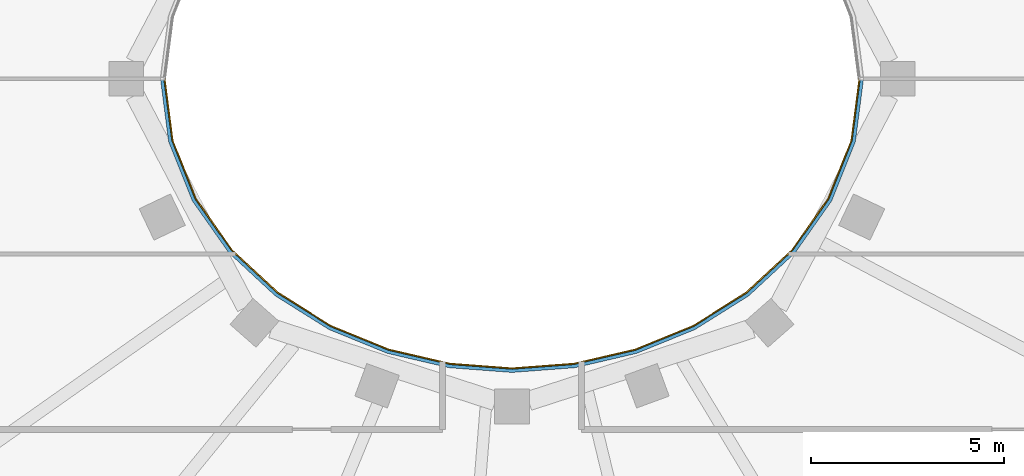
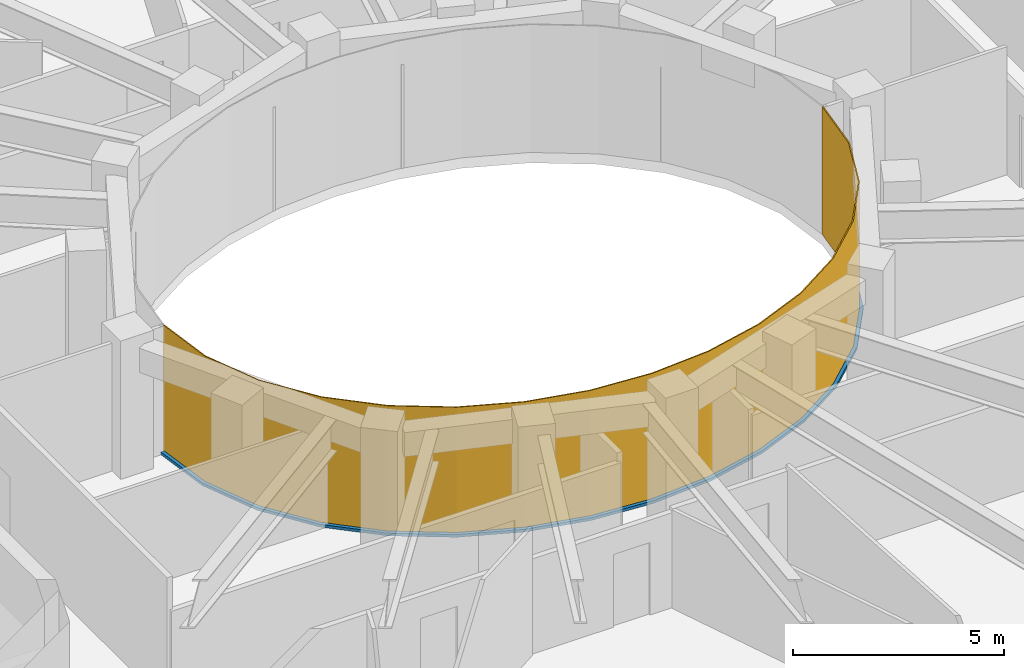
# One storey, part 10 of 16: 1 curtain wall, 1 member.
"""IFC4 building model written with IfcOpenShell, lengths in metres."""

from ifc_helpers import new_model, si_unit, direction, frame, origin, place, context, subcontext, project, spatial, polyline, outline, extrude, material, layer, layer_set, type_object, element, aggregate, save


model = new_model("IFC4")

# Units and contexts
model_context = context("Model", 3, precision=1e-05, world=origin(), true_north=direction((0.0, 1.0)))
body_context = subcontext(model_context, "Body", "Model", "MODEL_VIEW")
ifc_project = project(units=[si_unit("LENGTHUNIT", "METRE"), si_unit("AREAUNIT", "SQUARE_METRE"), si_unit("VOLUMEUNIT", "CUBIC_METRE"), si_unit("PLANEANGLEUNIT", "RADIAN"), si_unit("MASSUNIT", "GRAM", prefix="KILO")], contexts=[model_context])

# Member
ifc_material_1 = material(Name="Steel S355 fire-resisting frame", Category="steel")
member_type = type_object("IfcMemberType", Name="ENV-TRANSOM-W", PredefinedType="USERDEFINED", material=ifc_material_1)
site_placement = place(None, origin())
building_placement = place(site_placement, origin())
storey_placement = place(building_placement, frame((0.0, 0.0, 303.0)))
member_placement = place(storey_placement, origin())
member = element("IfcMember", 1, at=member_placement, type_object=member_type, Name="Transom W well 17-01", ObjectType="TRANSOM", PredefinedType="USERDEFINED", context=body_context, shape_type="SweptSolid", body=[
    extrude(outline(polyline([(-9.119384765625, -0.02783203125), (-8.910400390625, -1.63623046875), (-8.29833984375, -3.167236328125), (-7.35107421875, -4.5146484375), (-6.1455078125, -5.6337890625), (-4.75341796875, -6.50634765625), (-3.233642578125, -7.127685546875), (-1.635498046875, -7.498779296875), (0.0, -7.622314453125), (1.635498046875, -7.498779296875), (3.233642578125, -7.127685546875), (4.75341796875, -6.50634765625), (6.1455078125, -5.6337890625), (7.35107421875, -4.5146484375), (8.29833984375, -3.167236328125), (8.910400390625, -1.63623046875), (9.119384765625, -0.02783203125), (9.02880859375, -0.02783203125), (8.822509765625, -1.61328125), (8.21875, -3.124267578125), (7.282958984375, -4.455078125), (6.090576171875, -5.56201171875), (4.712158203125, -6.426025390625), (3.206298828125, -7.04150390625), (1.621826171875, -7.40966796875), (0.0, -7.531982421875), (-1.621826171875, -7.40966796875), (-3.206298828125, -7.04150390625), (-4.712158203125, -6.426025390625), (-6.090576171875, -5.56201171875), (-7.282958984375, -4.455078125), (-8.21875, -3.124267578125), (-8.822509765625, -1.61328125), (-9.02880859375, -0.02783203125), (-9.119384765625, -0.02783203125)])), origin(), (0.0, 0.0, 1.0), 0.080078125),
])

# Site, building, storey
site = spatial("IfcSite", under=ifc_project, at=site_placement, CompositionType="ELEMENT")
building = spatial("IfcBuilding", under=site, at=building_placement, Name="Noorbagh Ring Tower", CompositionType="ELEMENT")
storey = spatial("IfcBuildingStorey", under=building, at=storey_placement, Name="L65", CompositionType="ELEMENT", Elevation=303.0)

# Curtain wall
ifc_material_2 = material(Name="Glass fire-resisting E60 laminated", Category="glass")
ifc_layer = layer(ifc_material_2, 0.031982421875)
ifc_layer_set = layer_set([ifc_layer], Name="Glass fire-resisting E60 laminated")
curtain_wall_type = type_object("IfcCurtainWallType", Name="ENV-CW-W", PredefinedType="NOTDEFINED", material=ifc_layer_set)
curtain_wall_placement = place(storey_placement, origin())
curtain_wall = element("IfcCurtainWall", 2, at=curtain_wall_placement, inside=storey, type_object=curtain_wall_type, Name="Curtain wall W W17", PredefinedType="NOTDEFINED", context=body_context, shape_type="SweptSolid", body=[
    extrude(outline(polyline([(-9.0322265625, 0.0), (-8.822509765625, -1.61328125), (-8.21875, -3.124267578125), (-7.282958984375, -4.455078125), (-6.090576171875, -5.56201171875), (-4.712158203125, -6.426025390625), (-3.206298828125, -7.04150390625), (-1.621826171875, -7.40966796875), (0.0, -7.531982421875), (1.621826171875, -7.40966796875), (3.206298828125, -7.04150390625), (4.712158203125, -6.426025390625), (6.090576171875, -5.56201171875), (7.282958984375, -4.455078125), (8.21875, -3.124267578125), (8.822509765625, -1.61328125), (9.0322265625, 0.0), (9.0, 0.0), (8.79150390625, -1.605224609375), (8.1904296875, -3.10888671875), (7.2587890625, -4.43408203125), (6.071044921875, -5.53662109375), (4.697509765625, -6.3974609375), (3.196533203125, -7.010986328125), (1.6171875, -7.3779296875), (0.0, -7.5), (-1.6171875, -7.3779296875), (-3.196533203125, -7.010986328125), (-4.697509765625, -6.3974609375), (-6.071044921875, -5.53662109375), (-7.2587890625, -4.43408203125), (-8.1904296875, -3.10888671875), (-8.79150390625, -1.605224609375), (-9.0, 0.0), (-9.0322265625, 0.0)])), origin(), (0.0, 0.0, 1.0), 3.699951171875),
])

aggregate(curtain_wall, [member])

save(model, "model.ifc")
